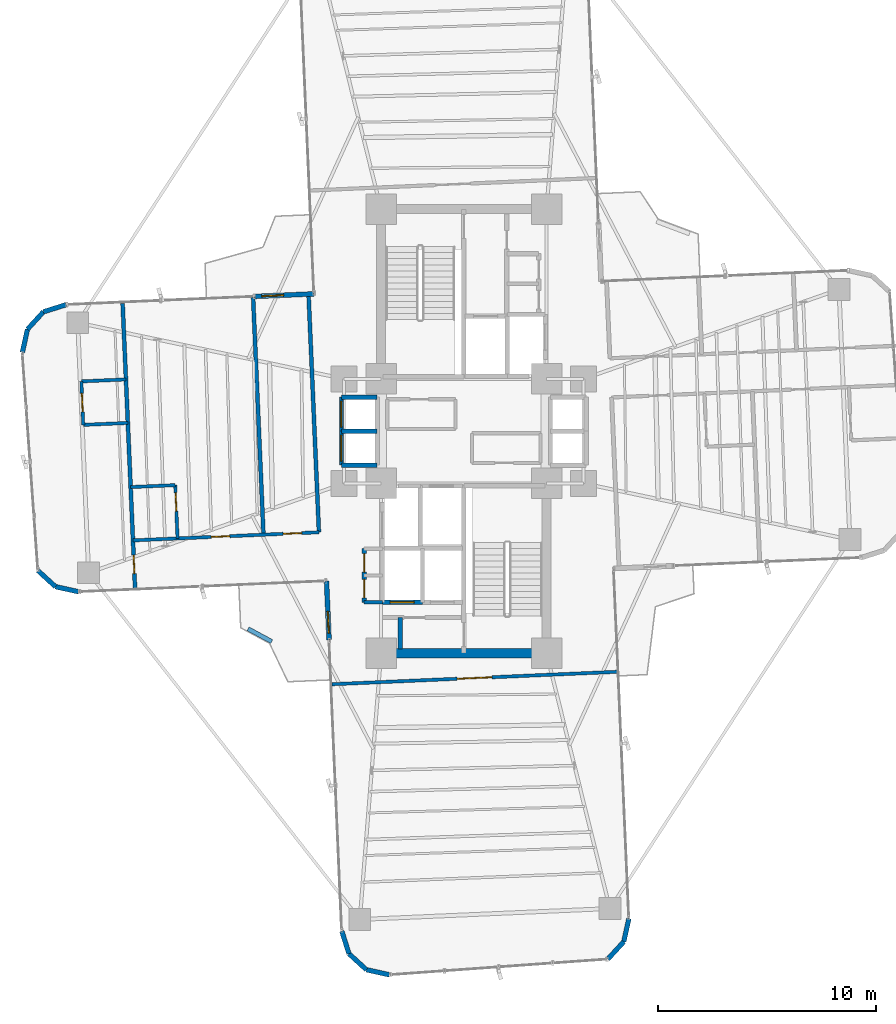
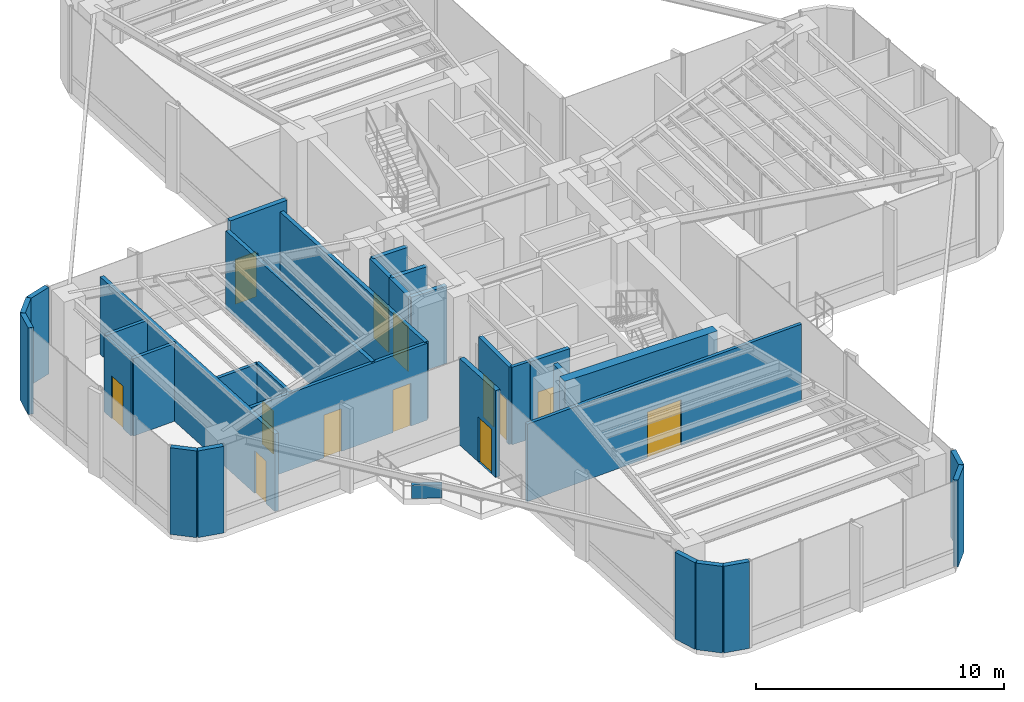
# One storey, part 19 of 23: 33 walls, 13 doors, 13 openings.
"""IFC4 building model written with IfcOpenShell, lengths in metres."""

from ifc_helpers import new_model, si_unit, direction, frame, frame_2d, origin, origin_2d, place, context, subcontext, project, spatial, rectangle, extrude, source, transform, mapped, material, layer, layer_set, type_object, element, fill, save


model = new_model("IFC4")

# Units and contexts
model_context = context("Model", 3, precision=1e-05, world=origin(), true_north=direction((0.0, 1.0)))
body_context = subcontext(model_context, "Body", "Model", "MODEL_VIEW")
ifc_project = project(units=[si_unit("LENGTHUNIT", "METRE"), si_unit("AREAUNIT", "SQUARE_METRE"), si_unit("VOLUMEUNIT", "CUBIC_METRE"), si_unit("PLANEANGLEUNIT", "RADIAN"), si_unit("MASSUNIT", "GRAM", prefix="KILO")], contexts=[model_context])

# Site, building, storey
site_placement = place(None, origin())
site = spatial("IfcSite", under=ifc_project, at=site_placement, CompositionType="ELEMENT")
building_placement = place(site_placement, origin())
building = spatial("IfcBuilding", under=site, at=building_placement, Name="Sahyath Konkavel Grand Hotel", CompositionType="ELEMENT")
storey_placement = place(building_placement, frame((0.0, 0.0, 106.949951171875)))
storey = spatial("IfcBuildingStorey", under=building, at=storey_placement, Name="L29", CompositionType="ELEMENT", Elevation=106.949951171875)

# Wall
ifc_material_1 = material(Name="Concrete C50/60", Category="concrete")
ifc_layer_1 = layer(ifc_material_1, 0.419921875)
ifc_layer_set_1 = layer_set([ifc_layer_1], Name="Concrete C50/60")
wall_type_1 = type_object("IfcWallType", Name="CWALL-420", PredefinedType="SHEAR", material=ifc_layer_set_1)
wall_1_placement = place(storey_placement, frame((-3.550048828125, -10.199951171875, 0.0), z_axis=(0.0, 0.0, 1.0), x_axis=(1.0, 0.0, 0.0)))
element("IfcWall", 1, at=wall_1_placement, inside=storey, type_object=wall_type_1, Name="L29 South Core Shear Wall S", PredefinedType="SHEAR", context=body_context, shape_type="SweptSolid", body=[
    extrude(rectangle(XDim=7.10009765625, YDim=0.419921875, at=frame_2d((3.550048828125, 0.0))), origin(), (0.0, 0.0, 1.0), 4.260009765625),
])

# Wall, opening, door
ifc_material_2 = material(Name="Warm Buff Sandstone Insulated Concrete C40/50", Category="masonry")
ifc_layer_2 = layer(ifc_material_2, 0.219970703125)
ifc_layer_set_2 = layer_set([ifc_layer_2], Name="Warm Buff Sandstone Insulated Concrete C40/50")
wall_type_2 = type_object("IfcWallType", Name="WLL-BALC-THRESH", PredefinedType="STANDARD", material=ifc_layer_set_2)
wall_2_placement = place(storey_placement, frame((-6.881591796875, 6.305908203125, 0.0), z_axis=(0.0, 0.0, 1.0), x_axis=(-0.999045894436, -0.043672655174, 0.0)))
wall_2 = element("IfcWall", 2, at=wall_2_placement, inside=storey, type_object=wall_type_2, Name="L29 Winter-Garden Threshold Wall 16", PredefinedType="STANDARD", context=body_context, shape_type="SweptSolid", body=[
    extrude(rectangle(XDim=2.7001953125, YDim=0.219970703125, at=frame_2d((1.35009765625, 0.0))), origin(), (0.0, 0.0, 1.0), 4.260009765625),
])
opening_1_placement = place(wall_2_placement, frame((1.39990234375, 0.0, 0.0)))
opening_1 = element("IfcOpeningElement", 3, at=opening_1_placement, cuts=wall_2, Name="Opening D-TR1", PredefinedType="OPENING", context=body_context, shape_type="SweptSolid", body=[
    extrude(rectangle(XDim=1.0, YDim=2.199951171875, at=frame_2d((0.5, 1.10009765625))), frame((0.0, 0.1201171875, 0.0), z_axis=(0.0, -1.0, 0.0), x_axis=(1.0, 0.0, 0.0)), (0.0, 0.0, 1.0), 0.239990234375),
])
ifc_material_3 = material(Name="Anodised Bronze Aluminium & Low-E Glazing", Category="aluminium")
door_type_1 = type_object("IfcDoorType", Name="DR-TERRACE-1000", OperationType="NOTDEFINED", PredefinedType="DOOR", material=ifc_material_3)
shared_shape_1 = source(origin(), body_context, "Body", "SweptSolid", [
    extrude(rectangle(XDim=1.0, YDim=0.050048828125, at=origin_2d()), origin(), (0.0, 0.0, 1.0), 2.199951171875),
])
door_1_placement = place(opening_1_placement, frame((0.5, 0.0, 0.0)))
door_1 = element("IfcDoor", 4, at=door_1_placement, inside=storey, type_object=door_type_1, Name="L29 Winter-Garden Terrace Door 16", OperationType="SINGLE_SWING_LEFT", OverallHeight=2.199951171875, OverallWidth=1.0, PredefinedType="DOOR", context=body_context, shape_type="MappedRepresentation", body=[
    mapped(shared_shape_1, transform((0.0, 0.0, 0.0), scale=1.0)),
])
fill(opening_1, door_1)

# Walls
for number, where, z_axis, x_axis, name in (
    (5, (-18.270751953125, 5.80859375, 0.0), (0.0, 0.0, 1.0), (-0.953721713582, -0.30069069331, 0.0), "L29 Rounded Corner Sandstone Pier 17"),
    (6, (-19.3076171875, 5.481689453125, 0.0), (0.0, 0.0, 1.0), (-0.675551721847, -0.737312600672, 0.0), "L29 Rounded Corner Sandstone Pier 18"),
):
    element("IfcWall", number, at=place(storey_placement, frame(where, z_axis=z_axis, x_axis=x_axis)), inside=storey, type_object=wall_type_2, Name=name, PredefinedType="STANDARD", context=body_context, shape_type="SweptSolid", body=[
        extrude(rectangle(XDim=1.087158203125, YDim=0.219970703125, at=frame_2d((0.54345703125, 0.0))), origin(), (0.0, 0.0, 1.0), 4.260009765625),
    ])
for number, where, z_axis, x_axis, name in (
    (7, (-20.0419921875, 4.68017578125, 0.0), (0.0, 0.0, 1.0), (-0.216288323511, -0.976329535102, 0.0), "L29 Rounded Corner Sandstone Pier 19"),
    (8, (-19.5576171875, -6.4091796875, 0.0), (0.0, 0.0, 1.0), (0.737210081318, -0.675663596772, 0.0), "L29 Rounded Corner Sandstone Pier 21"),
):
    element("IfcWall", number, at=place(storey_placement, frame(where, z_axis=z_axis, x_axis=x_axis)), inside=storey, type_object=wall_type_2, Name=name, PredefinedType="STANDARD", context=body_context, shape_type="SweptSolid", body=[
        extrude(rectangle(XDim=1.0869140625, YDim=0.219970703125, at=frame_2d((0.54345703125, 0.0))), origin(), (0.0, 0.0, 1.0), 4.260009765625),
    ])
wall_3_placement = place(storey_placement, frame((-18.75634765625, -7.1435546875, 0.0), z_axis=(0.0, 0.0, 1.0), x_axis=(0.976282085775, -0.216502399514, 0.0)))
element("IfcWall", 9, at=wall_3_placement, inside=storey, type_object=wall_type_2, Name="L29 Rounded Corner Sandstone Pier 22", PredefinedType="STANDARD", context=body_context, shape_type="SweptSolid", body=[
    extrude(rectangle(XDim=1.087158203125, YDim=0.219970703125, at=frame_2d((0.54345703125, 0.0))), origin(), (0.0, 0.0, 1.0), 4.260009765625),
])

# Wall, opening, door
wall_4_placement = place(storey_placement, frame((-6.305908203125, -6.881591796875, 0.0), z_axis=(0.0, 0.0, 1.0), x_axis=(0.043672655174, -0.999045894436, 0.0)))
wall_4 = element("IfcWall", 10, at=wall_4_placement, inside=storey, type_object=wall_type_2, Name="L29 Winter-Garden Threshold Wall 24", PredefinedType="STANDARD", context=body_context, shape_type="SweptSolid", body=[
    extrude(rectangle(XDim=2.7001953125, YDim=0.219970703125, at=frame_2d((1.35009765625, 0.0))), origin(), (0.0, 0.0, 1.0), 4.260009765625),
])
opening_2_placement = place(wall_4_placement, frame((1.39990234375, 0.0, 0.0)))
opening_2 = element("IfcOpeningElement", 11, at=opening_2_placement, cuts=wall_4, Name="Opening D-TR1", PredefinedType="OPENING", context=body_context, shape_type="SweptSolid", body=[
    extrude(rectangle(XDim=1.0, YDim=2.199951171875, at=frame_2d((0.5, 1.10009765625))), frame((0.0, 0.1201171875, 0.0), z_axis=(0.0, -1.0, 0.0), x_axis=(1.0, 0.0, 0.0)), (0.0, 0.0, 1.0), 0.239990234375),
])
door_2_placement = place(opening_2_placement, frame((0.5, 0.0, 0.0)))
door_2 = element("IfcDoor", 12, at=door_2_placement, inside=storey, type_object=door_type_1, Name="L29 Winter-Garden Terrace Door 24", OperationType="SINGLE_SWING_LEFT", OverallHeight=2.199951171875, OverallWidth=1.0, PredefinedType="DOOR", context=body_context, shape_type="MappedRepresentation", body=[
    mapped(shared_shape_1, transform((0.0, 0.0, 0.0), scale=1.0)),
])
fill(opening_2, door_2)

# Walls
wall_5_placement = place(storey_placement, frame((-5.603515625, -22.96630859375, 0.0), z_axis=(0.0, 0.0, 1.0), x_axis=(0.300755105707, -0.953701403161, 0.0)))
element("IfcWall", 13, at=wall_5_placement, inside=storey, type_object=wall_type_2, Name="L29 Rounded Corner Sandstone Pier 25", PredefinedType="STANDARD", context=body_context, shape_type="SweptSolid", body=[
    extrude(rectangle(XDim=1.0869140625, YDim=0.219970703125, at=frame_2d((0.54345703125, 0.0))), origin(), (0.0, 0.0, 1.0), 4.260009765625),
])
wall_6_placement = place(storey_placement, frame((-5.276611328125, -24.0029296875, 0.0), z_axis=(0.0, 0.0, 1.0), x_axis=(0.737312600672, -0.675551721847, 0.0)))
element("IfcWall", 14, at=wall_6_placement, inside=storey, type_object=wall_type_2, Name="L29 Rounded Corner Sandstone Pier 26", PredefinedType="STANDARD", context=body_context, shape_type="SweptSolid", body=[
    extrude(rectangle(XDim=1.087158203125, YDim=0.219970703125, at=frame_2d((0.54345703125, 0.0))), origin(), (0.0, 0.0, 1.0), 4.260009765625),
])
for number, where, z_axis, x_axis, name in (
    (15, (-4.47509765625, -24.7373046875, 0.0), (0.0, 0.0, 1.0), (0.976271555154, -0.216549880158, 0.0), "L29 Rounded Corner Sandstone Pier 27"),
    (16, (6.6142578125, -24.253173828125, 0.0), (0.0, 0.0, 1.0), (0.675663596772, 0.737210081318, 0.0), "L29 Rounded Corner Sandstone Pier 29"),
):
    element("IfcWall", number, at=place(storey_placement, frame(where, z_axis=z_axis, x_axis=x_axis)), inside=storey, type_object=wall_type_2, Name=name, PredefinedType="STANDARD", context=body_context, shape_type="SweptSolid", body=[
        extrude(rectangle(XDim=1.0869140625, YDim=0.219970703125, at=frame_2d((0.54345703125, 0.0))), origin(), (0.0, 0.0, 1.0), 4.260009765625),
    ])
wall_7_placement = place(storey_placement, frame((7.3486328125, -23.451904296875, 0.0), z_axis=(0.0, 0.0, 1.0), x_axis=(0.216454939174, 0.976292609471, 0.0)))
element("IfcWall", 17, at=wall_7_placement, inside=storey, type_object=wall_type_2, Name="L29 Rounded Corner Sandstone Pier 30", PredefinedType="STANDARD", context=body_context, shape_type="SweptSolid", body=[
    extrude(rectangle(XDim=1.08740234375, YDim=0.219970703125, at=frame_2d((0.543701171875, 0.0))), origin(), (0.0, 0.0, 1.0), 4.260009765625),
])

# Wall, opening, door
ifc_material_4 = material(Name="Concrete C40/50", Category="concrete")
ifc_layer_3 = layer(ifc_material_4, 0.199951171875)
ifc_layer_set_3 = layer_set([ifc_layer_3], Name="Concrete C40/50")
wall_type_3 = type_object("IfcWallType", Name="WLL-CORE-200", PredefinedType="SOLIDWALL", material=ifc_layer_set_3)
wall_8_placement = place(storey_placement, frame((-3.739990234375, -7.860107421875, 0.0), z_axis=(0.0, 0.0, 1.0), x_axis=(1.0, 0.0, 0.0)))
wall_8 = element("IfcWall", 18, at=wall_8_placement, inside=storey, type_object=wall_type_3, Name="L29 Partition SH-PL3-S", PredefinedType="SOLIDWALL", context=body_context, shape_type="SweptSolid", body=[
    extrude(rectangle(XDim=1.840087890625, YDim=0.199951171875, at=frame_2d((0.919921875, 0.0))), origin(), (0.0, 0.0, 1.0), 3.81005859375),
])
opening_3_placement = place(wall_8_placement, frame((0.360107421875, 0.0, 0.0)))
opening_3 = element("IfcOpeningElement", 19, at=opening_3_placement, cuts=wall_8, Name="Opening LD-11", PredefinedType="OPENING", context=body_context, shape_type="SweptSolid", body=[
    extrude(rectangle(XDim=1.10009765625, YDim=2.199951171875, at=frame_2d((0.550048828125, 1.10009765625))), frame((0.0, 0.10986328125, 0.0), z_axis=(0.0, -1.0, 0.0), x_axis=(1.0, 0.0, 0.0)), (0.0, 0.0, 1.0), 0.219970703125),
])
ifc_material_5 = material(Name="Bronze Lift Landing Door 1100")
door_type_2 = type_object("IfcDoorType", Name="DR-LIFT-1100", OperationType="DOUBLE_DOOR_SLIDING", PredefinedType="DOOR", material=ifc_material_5)
shared_shape_2 = source(origin(), body_context, "Body", "SweptSolid", [
    extrude(rectangle(XDim=1.10009765625, YDim=0.050048828125, at=origin_2d()), origin(), (0.0, 0.0, 1.0), 2.199951171875),
])
door_3_placement = place(opening_3_placement, frame((0.550048828125, 0.0, 0.0)))
door_3 = element("IfcDoor", 20, at=door_3_placement, inside=storey, type_object=door_type_2, Name="L29 Passenger Lift PL-3 Landing Door", OperationType="DOUBLE_DOOR_SLIDING", OverallHeight=2.199951171875, OverallWidth=1.10009765625, PredefinedType="DOOR", context=body_context, shape_type="MappedRepresentation", body=[
    mapped(shared_shape_2, transform((0.0, 0.0, 0.0), scale=1.0)),
])
fill(opening_3, door_3)

# Walls
for number, where, z_axis, x_axis, name in (
    (21, (-5.6201171875, 1.56005859375, 0.0), (0.0, 0.0, 1.0), (1.0, 0.0, 0.0), "L29 Partition SH-SL12-N"),
    (22, (-5.6201171875, -1.56005859375, 0.0), (0.0, 0.0, 1.0), (1.0, 0.0, 0.0), "L29 Partition SH-SL12-S"),
    (23, (-5.6201171875, 0.0, 0.0), (0.0, 0.0, 1.0), (1.0, 0.0, 0.0), "L29 Partition SH-SL12-M"),
):
    element("IfcWall", number, at=place(storey_placement, frame(where, z_axis=z_axis, x_axis=x_axis)), inside=storey, type_object=wall_type_3, Name=name, PredefinedType="SOLIDWALL", context=body_context, shape_type="SweptSolid", body=[
        extrude(rectangle(XDim=1.64013671875, YDim=0.199951171875, at=frame_2d((0.820068359375, 0.0))), origin(), (0.0, 0.0, 1.0), 3.81005859375),
    ])

# Wall, opening, door
wall_9_placement = place(storey_placement, frame((-5.6201171875, 0.0, 0.0), z_axis=(0.0, 0.0, 1.0), x_axis=(0.0, 1.0, 0.0)))
wall_9 = element("IfcWall", 24, at=wall_9_placement, inside=storey, type_object=wall_type_3, Name="L29 Partition SH-SL1-W", PredefinedType="SOLIDWALL", context=body_context, shape_type="SweptSolid", body=[
    extrude(rectangle(XDim=1.56005859375, YDim=0.199951171875, at=frame_2d((0.780029296875, 0.0))), origin(), (0.0, 0.0, 1.0), 3.81005859375),
])
opening_4_placement = place(wall_9_placement, frame((0.179931640625, 0.0, 0.0)))
opening_4 = element("IfcOpeningElement", 25, at=opening_4_placement, cuts=wall_9, Name="Opening LD-12", PredefinedType="OPENING", context=body_context, shape_type="SweptSolid", body=[
    extrude(rectangle(XDim=1.199951171875, YDim=2.199951171875, at=frame_2d((0.60009765625, 1.10009765625))), frame((0.0, 0.10986328125, 0.0), z_axis=(0.0, -1.0, 0.0), x_axis=(1.0, 0.0, 0.0)), (0.0, 0.0, 1.0), 0.219970703125),
])
ifc_material_6 = material(Name="Stainless Steel Lift Landing Door 1200", Category="steel")
door_type_3 = type_object("IfcDoorType", Name="DR-LIFT-1200", OperationType="DOUBLE_DOOR_SLIDING", PredefinedType="DOOR", material=ifc_material_6)
shared_shape_3 = source(origin(), body_context, "Body", "SweptSolid", [
    extrude(rectangle(XDim=1.199951171875, YDim=0.050048828125, at=origin_2d()), origin(), (0.0, 0.0, 1.0), 2.199951171875),
])
door_4_placement = place(opening_4_placement, frame((0.60009765625, 0.0, 0.0)))
door_4 = element("IfcDoor", 26, at=door_4_placement, inside=storey, type_object=door_type_3, Name="L29 Express Shuttle SL-1 Landing Door", OperationType="DOUBLE_DOOR_SLIDING", OverallHeight=2.199951171875, OverallWidth=1.199951171875, PredefinedType="DOOR", context=body_context, shape_type="MappedRepresentation", body=[
    mapped(shared_shape_3, transform((0.0, 0.0, 0.0), scale=1.0)),
])
fill(opening_4, door_4)

wall_10_placement = place(storey_placement, frame((-5.6201171875, -1.56005859375, 0.0), z_axis=(0.0, 0.0, 1.0), x_axis=(0.0, 1.0, 0.0)))
wall_10 = element("IfcWall", 27, at=wall_10_placement, inside=storey, type_object=wall_type_3, Name="L29 Partition SH-SL2-W", PredefinedType="SOLIDWALL", context=body_context, shape_type="SweptSolid", body=[
    extrude(rectangle(XDim=1.56005859375, YDim=0.199951171875, at=frame_2d((0.780029296875, 0.0))), origin(), (0.0, 0.0, 1.0), 3.81005859375),
])
opening_5_placement = place(wall_10_placement, frame((0.179931640625, 0.0, 0.0)))
opening_5 = element("IfcOpeningElement", 28, at=opening_5_placement, cuts=wall_10, Name="Opening LD-12", PredefinedType="OPENING", context=body_context, shape_type="SweptSolid", body=[
    extrude(rectangle(XDim=1.199951171875, YDim=2.199951171875, at=frame_2d((0.60009765625, 1.10009765625))), frame((0.0, 0.10986328125, 0.0), z_axis=(0.0, -1.0, 0.0), x_axis=(1.0, 0.0, 0.0)), (0.0, 0.0, 1.0), 0.219970703125),
])
door_5_placement = place(opening_5_placement, frame((0.60009765625, 0.0, 0.0)))
door_5 = element("IfcDoor", 29, at=door_5_placement, inside=storey, type_object=door_type_3, Name="L29 Express Shuttle SL-2 Landing Door", OperationType="DOUBLE_DOOR_SLIDING", OverallHeight=2.199951171875, OverallWidth=1.199951171875, PredefinedType="DOOR", context=body_context, shape_type="MappedRepresentation", body=[
    mapped(shared_shape_3, transform((0.0, 0.0, 0.0), scale=1.0)),
])
fill(opening_5, door_5)

# Wall
wall_11_placement = place(storey_placement, frame((-2.919921875, -10.0, 0.0), z_axis=(0.0, 0.0, 1.0), x_axis=(0.0, 1.0, 0.0)))
element("IfcWall", 30, at=wall_11_placement, inside=storey, type_object=wall_type_3, Name="L29 Partition SFF-W2", PredefinedType="SOLIDWALL", context=body_context, shape_type="SweptSolid", body=[
    extrude(rectangle(XDim=1.43994140625, YDim=0.199951171875, at=frame_2d((0.719970703125, 0.0))), origin(), (0.0, 0.0, 1.0), 3.81005859375),
])

# Wall, openings, doors
wall_12_placement = place(storey_placement, frame((-4.580078125, -7.860107421875, 0.0), z_axis=(0.0, 0.0, 1.0), x_axis=(0.0, 1.0, 0.0)))
wall_12 = element("IfcWall", 31, at=wall_12_placement, inside=storey, type_object=wall_type_3, Name="L29 Partition SC-FLK-W", PredefinedType="SOLIDWALL", context=body_context, shape_type="SweptSolid", body=[
    extrude(rectangle(XDim=2.460205078125, YDim=0.199951171875, at=frame_2d((1.22998046875, 0.0))), origin(), (0.0, 0.0, 1.0), 3.81005859375),
])
opening_6_placement = place(wall_12_placement, frame((0.199951171875, 0.0, 0.0)))
opening_6 = element("IfcOpeningElement", 32, at=opening_6_placement, cuts=wall_12, Name="Opening D-F06D", PredefinedType="OPENING", context=body_context, shape_type="SweptSolid", body=[
    extrude(rectangle(XDim=0.85009765625, YDim=2.10009765625, at=frame_2d((0.425048828125, 1.050048828125))), frame((0.0, 0.10986328125, 0.0), z_axis=(0.0, -1.0, 0.0), x_axis=(1.0, 0.0, 0.0)), (0.0, 0.0, 1.0), 0.219970703125),
])
opening_7_placement = place(wall_12_placement, frame((1.3798828125, 0.0, 0.0)))
opening_7 = element("IfcOpeningElement", 33, at=opening_7_placement, cuts=wall_12, Name="Opening D-F06D", PredefinedType="OPENING", context=body_context, shape_type="SweptSolid", body=[
    extrude(rectangle(XDim=0.85009765625, YDim=2.10009765625, at=frame_2d((0.425048828125, 1.050048828125))), frame((0.0, 0.10986328125, 0.0), z_axis=(0.0, -1.0, 0.0), x_axis=(1.0, 0.0, 0.0)), (0.0, 0.0, 1.0), 0.219970703125),
])
ifc_material_7 = material(Name="Fire-Rated Shaft Access Door")
door_type_4 = type_object("IfcDoorType", Name="DR-FD60-850", OperationType="NOTDEFINED", PredefinedType="DOOR", material=ifc_material_7)
shared_shape_4 = source(origin(), body_context, "Body", "SweptSolid", [
    extrude(rectangle(XDim=0.85009765625, YDim=0.050048828125, at=origin_2d()), origin(), (0.0, 0.0, 1.0), 2.10009765625),
])
door_6_placement = place(opening_6_placement, frame((0.425048828125, 0.0, 0.0)))
door_6 = element("IfcDoor", 34, at=door_6_placement, inside=storey, type_object=door_type_4, Name="L29 Door SC-FLK1-D", OperationType="SINGLE_SWING_RIGHT", OverallHeight=2.10009765625, OverallWidth=0.85009765625, PredefinedType="DOOR", context=body_context, shape_type="MappedRepresentation", body=[
    mapped(shared_shape_4, transform((0.0, 0.0, 0.0), scale=1.0)),
])
fill(opening_6, door_6)
door_7_placement = place(opening_7_placement, frame((0.425048828125, 0.0, 0.0)))
door_7 = element("IfcDoor", 35, at=door_7_placement, inside=storey, type_object=door_type_4, Name="L29 Door SC-FLK2-D", OperationType="SINGLE_SWING_LEFT", OverallHeight=2.10009765625, OverallWidth=0.85009765625, PredefinedType="DOOR", context=body_context, shape_type="MappedRepresentation", body=[
    mapped(shared_shape_4, transform((0.0, 0.0, 0.0), scale=1.0)),
])
fill(opening_7, door_7)

# Walls
ifc_material_8 = material(Name="Twin-Stud Acoustic Gypsum Plasterboard Partition")
ifc_layer_4 = layer(ifc_material_8, 0.179931640625)
ifc_layer_set_4 = layer_set([ifc_layer_4], Name="Twin-Stud Acoustic Gypsum Plasterboard Partition")
wall_type_4 = type_object("IfcWallType", Name="WLL-DEMISE-180", PredefinedType="PARTITIONING", material=ifc_layer_set_4)
wall_13_placement = place(storey_placement, frame((-7.129150390625, 6.2451171875, 0.0), z_axis=(0.0, 0.0, 1.0), x_axis=(0.043608291235, -0.999048705988, 0.0)))
element("IfcWall", 36, at=wall_13_placement, inside=storey, type_object=wall_type_4, Name="L29 Partition W-G5I", PredefinedType="PARTITIONING", context=body_context, shape_type="SweptSolid", body=[
    extrude(rectangle(XDim=10.900146484375, YDim=0.179931640625, at=frame_2d((5.4501953125, 0.0))), origin(), (0.0, 0.0, 1.0), 3.81005859375),
])
wall_14_placement = place(storey_placement, frame((-9.201416015625, -4.755859375, 0.0), z_axis=(0.0, 0.0, 1.0), x_axis=(-0.043609267053, 0.999048663393, 0.0)))
element("IfcWall", 37, at=wall_14_placement, inside=storey, type_object=wall_type_4, Name="L29 Partition W-WHK-DEM", PredefinedType="PARTITIONING", context=body_context, shape_type="SweptSolid", body=[
    extrude(rectangle(XDim=10.89990234375, YDim=0.179931640625, at=frame_2d((5.449951171875, 0.0))), origin(), (0.0, 0.0, 1.0), 3.81005859375),
])

# Wall, opening, door
wall_15_placement = place(storey_placement, frame((-15.6708984375, 5.8720703125, 0.0), z_axis=(0.0, 0.0, 1.0), x_axis=(0.043609488494, -0.999048653727, 0.0)))
wall_15 = element("IfcWall", 38, at=wall_15_placement, inside=storey, type_object=wall_type_4, Name="L29 Partition W-WTIP-END", PredefinedType="PARTITIONING", context=body_context, shape_type="SweptSolid", body=[
    extrude(rectangle(XDim=13.10009765625, YDim=0.179931640625, at=frame_2d((6.550048828125, 0.0))), origin(), (0.0, 0.0, 1.0), 3.81005859375),
])
opening_8_placement = place(wall_15_placement, frame((11.574951171875, 0.0, 0.0)))
opening_8 = element("IfcOpeningElement", 39, at=opening_8_placement, cuts=wall_15, Name="Opening D-F06D", PredefinedType="OPENING", context=body_context, shape_type="SweptSolid", body=[
    extrude(rectangle(XDim=0.85009765625, YDim=2.10009765625, at=frame_2d((0.425048828125, 1.050048828125))), frame((0.0, 0.10009765625, 0.0), z_axis=(0.0, -1.0, 0.0), x_axis=(1.0, 0.0, 0.0)), (0.0, 0.0, 1.0), 0.199951171875),
])
door_8_placement = place(opening_8_placement, frame((0.425048828125, 0.0, 0.0)))
door_8 = element("IfcDoor", 40, at=door_8_placement, inside=storey, type_object=door_type_4, Name="L29 Door W-WTIP-ED", OperationType="SINGLE_SWING_LEFT", OverallHeight=2.10009765625, OverallWidth=0.85009765625, PredefinedType="DOOR", context=body_context, shape_type="MappedRepresentation", body=[
    mapped(shared_shape_4, transform((0.0, 0.0, 0.0), scale=1.0)),
])
fill(opening_8, door_8)

# Wall
ifc_material_9 = material(Name="Fire-Rated Gypsum Plasterboard Partition")
ifc_layer_5 = layer(ifc_material_9, 0.14990234375)
ifc_layer_set_5 = layer_set([ifc_layer_5], Name="Fire-Rated Gypsum Plasterboard Partition")
wall_type_5 = type_object("IfcWallType", Name="WLL-PART-150", PredefinedType="PARTITIONING", material=ifc_layer_set_5)
wall_16_placement = place(storey_placement, frame((-4.580078125, -7.860107421875, 0.0), z_axis=(0.0, 0.0, 1.0), x_axis=(1.0, 0.0, 0.0)))
element("IfcWall", 41, at=wall_16_placement, inside=storey, type_object=wall_type_5, Name="L29 Partition SC-FLK-S", PredefinedType="PARTITIONING", context=body_context, shape_type="SweptSolid", body=[
    extrude(rectangle(XDim=0.840087890625, YDim=0.14990234375, at=frame_2d((0.419921875, 0.0))), origin(), (0.0, 0.0, 1.0), 3.81005859375),
])

# Wall, openings, doors
wall_17_placement = place(storey_placement, frame((-6.65380859375, -4.644775390625, 0.0), z_axis=(0.0, 0.0, 1.0), x_axis=(-0.999048925025, -0.043603272887, 0.0)))
wall_17 = element("IfcWall", 42, at=wall_17_placement, inside=storey, type_object=wall_type_5, Name="L29 Partition W-G5W", PredefinedType="PARTITIONING", context=body_context, shape_type="SweptSolid", body=[
    extrude(rectangle(XDim=8.5498046875, YDim=0.14990234375, at=frame_2d((4.27490234375, 0.0))), origin(), (0.0, 0.0, 1.0), 3.780029296875),
])
opening_9_placement = place(wall_17_placement, frame((0.800048828125, 0.0, 0.0)))
opening_9 = element("IfcOpeningElement", 43, at=opening_9_placement, cuts=wall_17, Name="Opening D-F06D", PredefinedType="OPENING", context=body_context, shape_type="SweptSolid", body=[
    extrude(rectangle(XDim=0.85009765625, YDim=2.10009765625, at=frame_2d((0.425048828125, 1.050048828125))), frame((0.0, 0.0849609375, 0.0), z_axis=(0.0, -1.0, 0.0), x_axis=(1.0, 0.0, 0.0)), (0.0, 0.0, 1.0), 0.169921875),
])
opening_10_placement = place(wall_17_placement, frame((4.10009765625, 0.0, 0.0)))
opening_10 = element("IfcOpeningElement", 44, at=opening_10_placement, cuts=wall_17, Name="Opening D-F06D", PredefinedType="OPENING", context=body_context, shape_type="SweptSolid", body=[
    extrude(rectangle(XDim=0.85009765625, YDim=2.10009765625, at=frame_2d((0.425048828125, 1.050048828125))), frame((0.0, 0.0849609375, 0.0), z_axis=(0.0, -1.0, 0.0), x_axis=(1.0, 0.0, 0.0)), (0.0, 0.0, 1.0), 0.169921875),
])
door_9_placement = place(opening_9_placement, frame((0.425048828125, 0.0, 0.0)))
door_9 = element("IfcDoor", 45, at=door_9_placement, inside=storey, type_object=door_type_4, Name="L29 Door W-WHK-D", OperationType="SINGLE_SWING_LEFT", OverallHeight=2.10009765625, OverallWidth=0.85009765625, PredefinedType="DOOR", context=body_context, shape_type="MappedRepresentation", body=[
    mapped(shared_shape_4, transform((0.0, 0.0, 0.0), scale=1.0)),
])
fill(opening_9, door_9)
door_10_placement = place(opening_10_placement, frame((0.425048828125, 0.0, 0.0)))
door_10 = element("IfcDoor", 46, at=door_10_placement, inside=storey, type_object=door_type_4, Name="L29 Door W-WD1-ED", OperationType="SINGLE_SWING_LEFT", OverallHeight=2.10009765625, OverallWidth=0.85009765625, PredefinedType="DOOR", context=body_context, shape_type="MappedRepresentation", body=[
    mapped(shared_shape_4, transform((0.0, 0.0, 0.0), scale=1.0)),
])
fill(opening_10, door_10)

# Wall, opening, door
wall_18_placement = place(storey_placement, frame((-13.1474609375, -4.92822265625, 0.0), z_axis=(0.0, 0.0, 1.0), x_axis=(-0.043644787072, 0.999047112283, 0.0)))
wall_18 = element("IfcWall", 47, at=wall_18_placement, inside=storey, type_object=wall_type_5, Name="L29 Partition W-WD1-BS", PredefinedType="PARTITIONING", context=body_context, shape_type="SweptSolid", body=[
    extrude(rectangle(XDim=2.4501953125, YDim=0.14990234375, at=frame_2d((1.22509765625, 0.0))), origin(), (0.0, 0.0, 1.0), 3.81005859375),
])
opening_11_placement = place(wall_18_placement, frame((1.25, 0.0, 0.0)))
opening_11 = element("IfcOpeningElement", 48, at=opening_11_placement, cuts=wall_18, Name="Opening D-BT85", PredefinedType="OPENING", context=body_context, shape_type="SweptSolid", body=[
    extrude(rectangle(XDim=0.85009765625, YDim=2.10009765625, at=frame_2d((0.425048828125, 1.050048828125))), frame((0.0, 0.0849609375, 0.0), z_axis=(0.0, -1.0, 0.0), x_axis=(1.0, 0.0, 0.0)), (0.0, 0.0, 1.0), 0.169921875),
])
ifc_material_10 = material(Name="Moisture-Resistant Teak Bathroom Door")
door_type_5 = type_object("IfcDoorType", Name="DR-BATH-850", OperationType="NOTDEFINED", PredefinedType="DOOR", material=ifc_material_10)
door_11_placement = place(opening_11_placement, frame((0.425048828125, 0.0, 0.0)))
door_11 = element("IfcDoor", 49, at=door_11_placement, inside=storey, type_object=door_type_5, Name="L29 Door W-WD1-BD", OperationType="SINGLE_SWING_RIGHT", OverallHeight=2.10009765625, OverallWidth=0.85009765625, PredefinedType="DOOR", context=body_context, shape_type="MappedRepresentation", body=[
    mapped(shared_shape_4, transform((0.0, 0.0, 0.0), scale=1.0)),
])
fill(opening_11, door_11)

# Walls
wall_19_placement = place(storey_placement, frame((-13.25439453125, -2.48046875, 0.0), z_axis=(0.0, 0.0, 1.0), x_axis=(-0.999049630844, -0.043587097972, 0.0)))
element("IfcWall", 50, at=wall_19_placement, inside=storey, type_object=wall_type_5, Name="L29 Partition W-WD1-BF", PredefinedType="PARTITIONING", context=body_context, shape_type="SweptSolid", body=[
    extrude(rectangle(XDim=2.050048828125, YDim=0.14990234375, at=frame_2d((1.02490234375, 0.0))), origin(), (0.0, 0.0, 1.0), 3.780029296875),
])
wall_20_placement = place(storey_placement, frame((-15.43115234375, 0.377197265625, 0.0), z_axis=(0.0, 0.0, 1.0), x_axis=(-0.999049630844, -0.043587097972, 0.0)))
element("IfcWall", 51, at=wall_20_placement, inside=storey, type_object=wall_type_5, Name="L29 Partition W-WTIP-BN", PredefinedType="PARTITIONING", context=body_context, shape_type="SweptSolid", body=[
    extrude(rectangle(XDim=2.050048828125, YDim=0.14990234375, at=frame_2d((1.02490234375, 0.0))), origin(), (0.0, 0.0, 1.0), 3.81005859375),
])
wall_21_placement = place(storey_placement, frame((-15.518310546875, 2.37548828125, 0.0), z_axis=(0.0, 0.0, 1.0), x_axis=(-0.999044437927, -0.043705961225, 0.0)))
element("IfcWall", 52, at=wall_21_placement, inside=storey, type_object=wall_type_5, Name="L29 Partition W-WTIP-BS", PredefinedType="PARTITIONING", context=body_context, shape_type="SweptSolid", body=[
    extrude(rectangle(XDim=2.050048828125, YDim=0.14990234375, at=frame_2d((1.02490234375, 0.0))), origin(), (0.0, 0.0, 1.0), 3.780029296875),
])

# Wall, opening, door
wall_22_placement = place(storey_placement, frame((-17.56640625, 2.285888671875, 0.0), z_axis=(0.0, 0.0, 1.0), x_axis=(0.043580257179, -0.999049929275, 0.0)))
wall_22 = element("IfcWall", 53, at=wall_22_placement, inside=storey, type_object=wall_type_5, Name="L29 Partition W-WTIP-BE", PredefinedType="PARTITIONING", context=body_context, shape_type="SweptSolid", body=[
    extrude(rectangle(XDim=2.0, YDim=0.14990234375, at=frame_2d((1.0, 0.0))), origin(), (0.0, 0.0, 1.0), 3.72998046875),
])
opening_12_placement = place(wall_22_placement, frame((0.550048828125, 0.0, 0.0)))
opening_12 = element("IfcOpeningElement", 54, at=opening_12_placement, cuts=wall_22, Name="Opening D-BT85", PredefinedType="OPENING", context=body_context, shape_type="SweptSolid", body=[
    extrude(rectangle(XDim=0.85009765625, YDim=2.10009765625, at=frame_2d((0.425048828125, 1.050048828125))), frame((0.0, 0.0849609375, 0.0), z_axis=(0.0, -1.0, 0.0), x_axis=(1.0, 0.0, 0.0)), (0.0, 0.0, 1.0), 0.169921875),
])
door_12_placement = place(opening_12_placement, frame((0.425048828125, 0.0, 0.0)))
door_12 = element("IfcDoor", 55, at=door_12_placement, inside=storey, type_object=door_type_5, Name="L29 Door W-WTIP-BD", OperationType="SINGLE_SWING_RIGHT", OverallHeight=2.10009765625, OverallWidth=0.85009765625, PredefinedType="DOOR", context=body_context, shape_type="MappedRepresentation", body=[
    mapped(shared_shape_4, transform((0.0, 0.0, 0.0), scale=1.0)),
])
fill(opening_12, door_12)

wall_23_placement = place(storey_placement, frame((-6.048583984375, -11.625, 0.0), z_axis=(0.0, 0.0, 1.0), x_axis=(0.999047806124, 0.043628901879, 0.0)))
wall_23 = element("IfcWall", 56, at=wall_23_placement, inside=storey, type_object=wall_type_5, Name="L29 Partition S-SAL-IN", PredefinedType="PARTITIONING", context=body_context, shape_type="SweptSolid", body=[
    extrude(rectangle(XDim=13.099853515625, YDim=0.14990234375, at=frame_2d((6.5498046875, 0.0))), origin(), (0.0, 0.0, 1.0), 3.81005859375),
])
opening_13_placement = place(wall_23_placement, frame((5.75, 0.0, 0.0)))
opening_13 = element("IfcOpeningElement", 57, at=opening_13_placement, cuts=wall_23, Name="Opening D-DB16", PredefinedType="OPENING", context=body_context, shape_type="SweptSolid", body=[
    extrude(rectangle(XDim=1.60009765625, YDim=2.25, at=frame_2d((0.800048828125, 1.125))), frame((0.0, 0.0849609375, 0.0), z_axis=(0.0, -1.0, 0.0), x_axis=(1.0, 0.0, 0.0)), (0.0, 0.0, 1.0), 0.169921875),
])
ifc_material_11 = material(Name="Double Leaf Lounge Glazed Timber Door", Category="wood")
door_type_6 = type_object("IfcDoorType", Name="DR-DBL-1600", OperationType="DOUBLE_DOOR_SINGLE_SWING", PredefinedType="DOOR", material=ifc_material_11)
shared_shape_5 = source(origin(), body_context, "Body", "SweptSolid", [
    extrude(rectangle(XDim=1.60009765625, YDim=0.050048828125, at=origin_2d()), origin(), (0.0, 0.0, 1.0), 2.25),
])
door_13_placement = place(opening_13_placement, frame((0.800048828125, 0.0, 0.0)))
door_13 = element("IfcDoor", 58, at=door_13_placement, inside=storey, type_object=door_type_6, Name="L29 Door S-SAL-D", OperationType="DOUBLE_DOOR_SINGLE_SWING", OverallHeight=2.25, OverallWidth=1.60009765625, PredefinedType="DOOR", context=body_context, shape_type="MappedRepresentation", body=[
    mapped(shared_shape_5, transform((0.0, 0.0, 0.0), scale=1.0)),
])
fill(opening_13, door_13)

# Wall
ifc_material_12 = material(Name="Warm Buff Sandstone Planter Wall", Category="masonry")
ifc_layer_6 = layer(ifc_material_12, 0.199951171875)
ifc_layer_set_6 = layer_set([ifc_layer_6], Name="Warm Buff Sandstone Planter Wall")
wall_type_6 = type_object("IfcWallType", Name="WLL-PLANTER-200", PredefinedType="PARAPET", material=ifc_layer_set_6)
wall_24_placement = place(storey_placement, frame((-9.912109375, -9.080078125, 0.0), z_axis=(0.0, 0.0, 1.0), x_axis=(0.880515601115, -0.474017168669, 0.0)))
element("IfcWall", 59, at=wall_24_placement, inside=storey, type_object=wall_type_6, Name="L29 Sky-Garden Stone Planter PLANTER SW", PredefinedType="PARAPET", context=body_context, shape_type="SweptSolid", body=[
    extrude(rectangle(XDim=1.23291015625, YDim=0.199951171875, at=frame_2d((0.616455078125, 0.0))), origin(), (0.0, 0.0, 1.0), 0.650146484375),
])

save(model, "model.ifc")
